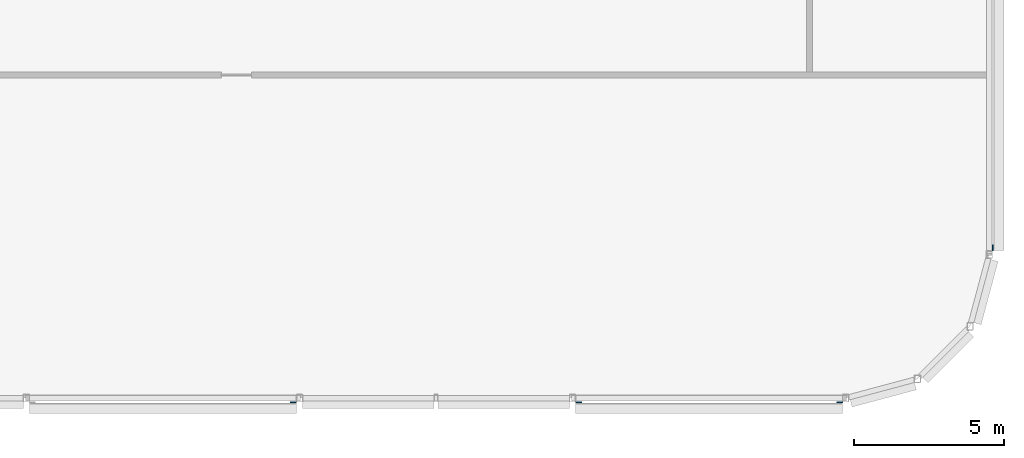
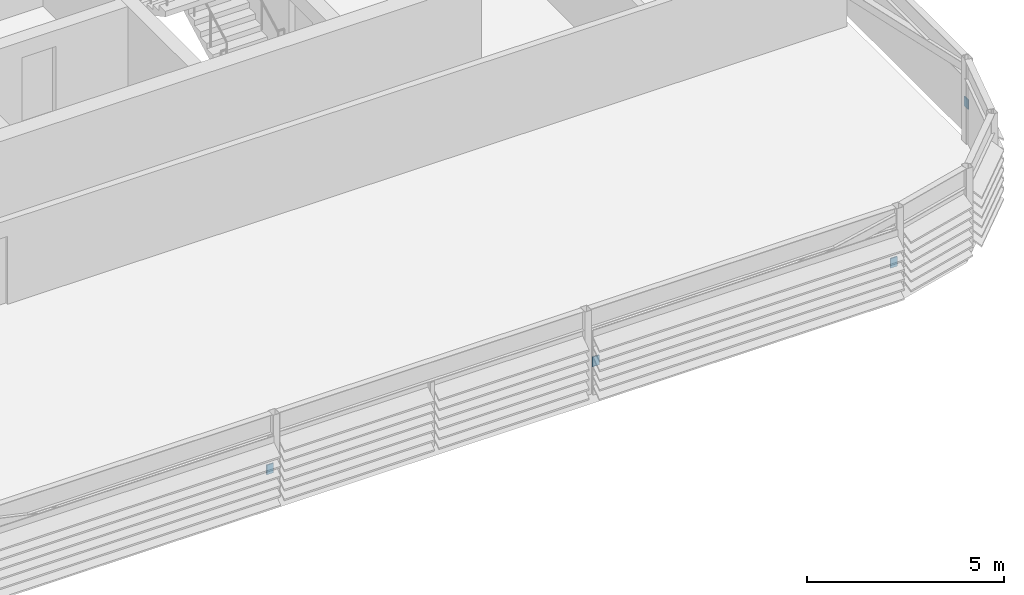
# One storey, part 20 of 27: 4 discrete accessories.
"""IFC4 building model written with IfcOpenShell, lengths in metres."""

from ifc_helpers import new_model, si_unit, direction, frame, origin, origin_2d, place, context, subcontext, project, spatial, rectangle, extrude, material, type_object, element, save


model = new_model("IFC4")

# Units and contexts
model_context = context("Model", 3, precision=1e-05, world=origin(), true_north=direction((0.0, 1.0)))
body_context = subcontext(model_context, "Body", "Model", "MODEL_VIEW")
ifc_project = project(units=[si_unit("LENGTHUNIT", "METRE"), si_unit("AREAUNIT", "SQUARE_METRE"), si_unit("VOLUMEUNIT", "CUBIC_METRE"), si_unit("PLANEANGLEUNIT", "RADIAN"), si_unit("MASSUNIT", "GRAM", prefix="KILO")], contexts=[model_context])

# Site, building, storey
site_placement = place(None, origin())
site = spatial("IfcSite", under=ifc_project, at=site_placement, CompositionType="ELEMENT")
building_placement = place(site_placement, origin())
building = spatial("IfcBuilding", under=site, at=building_placement, Name="Madar Terraces", CompositionType="ELEMENT")
storey_placement = place(building_placement, frame((0.0, 0.0, 314.300048828125)))
storey = spatial("IfcBuildingStorey", under=building, at=storey_placement, Name="L81", CompositionType="ELEMENT", Elevation=314.300048828125)

# Discrete accessories
ifc_material = material(Name="Steel, galvanised", Category="steel")
discrete_accessory_type = type_object("IfcDiscreteAccessoryType", Name="Louvre bank bracket", PredefinedType="BRACKET", material=ifc_material)
for number, where, z_axis, x_axis, name in (
    (1, (33.158447265625, 1.05810546875, 0.84912109375), (0.0, 0.0, 1.0), (1.0, 0.0, 0.0), "Louvre bank bracket"),
    (2, (42.681640625, 1.05810546875, 0.84912109375), (0.0, 0.0, 1.0), (1.0, 0.0, 0.0), "Louvre bank bracket"),
    (3, (51.3984375, 1.05810546875, 0.84912109375), (0.0, 0.0, 1.0), (1.0, 0.0, 0.0), "Louvre bank bracket"),
    (4, (56.5166015625, 6.22705078125, 0.84912109375), (0.0, 0.0, 1.0), (0.0, 1.0, 0.0), "Louvre bank bracket"),
):
    element("IfcDiscreteAccessory", number, at=place(storey_placement, frame(where, z_axis=z_axis, x_axis=x_axis)), inside=storey, type_object=discrete_accessory_type, Name=name, PredefinedType="BRACKET", context=body_context, shape_type="SweptSolid", body=[
        extrude(rectangle(XDim=0.199951171875, YDim=0.030029296875, at=origin_2d()), origin(), (0.0, 0.0, 1.0), 0.300048828125),
    ])

save(model, "model.ifc")
